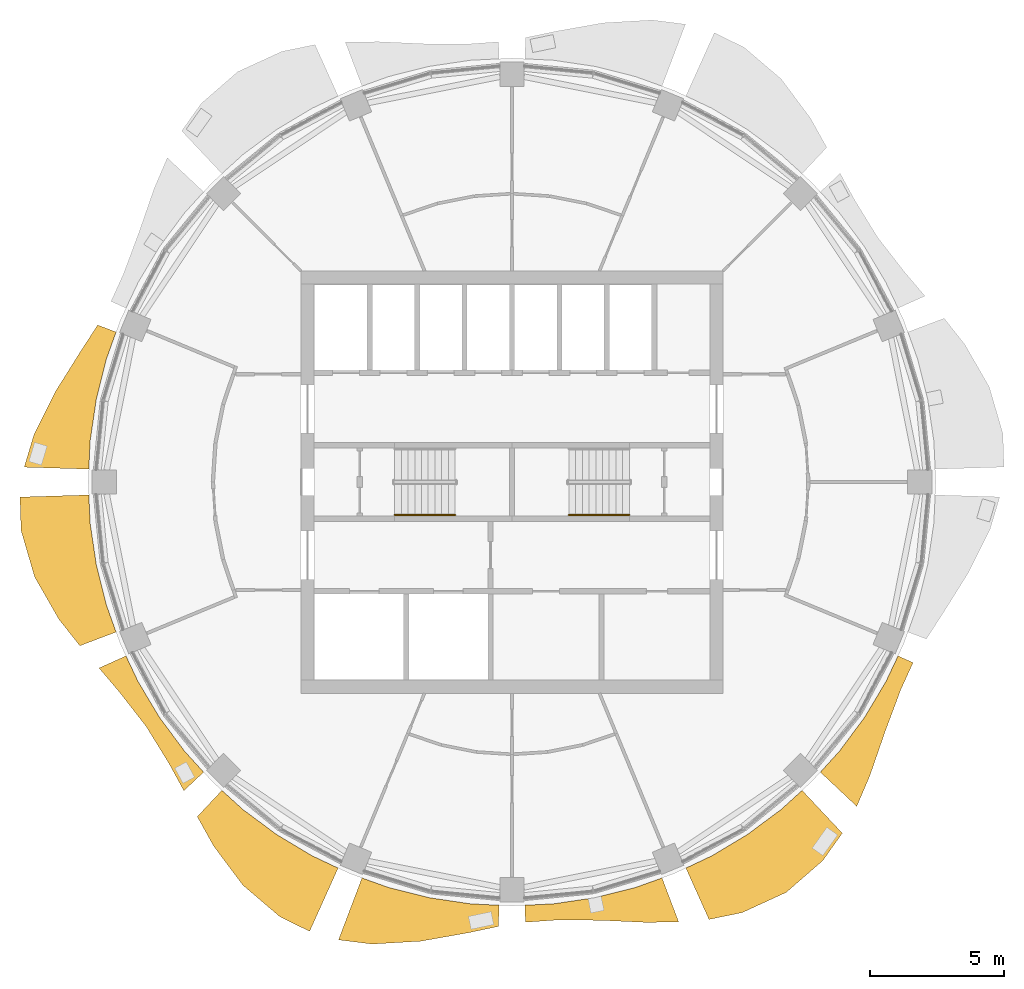
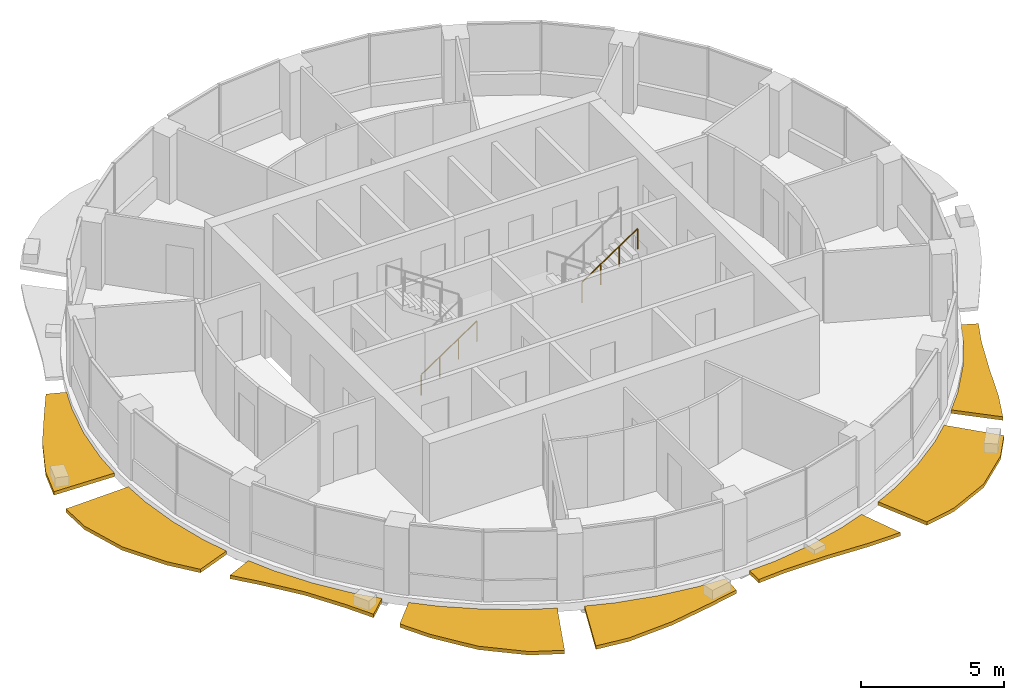
# One storey, part 11 of 14: 8 shading devices, 2 railings.
"""IFC4 building model written with IfcOpenShell, lengths in metres."""

from ifc_helpers import new_model, si_unit, direction, frame, origin, origin_2d, place, context, subcontext, project, spatial, polyline, circle, outline, extrude, material, type_object, element, save


model = new_model("IFC4")

# Units and contexts
model_context = context("Model", 3, precision=1e-05, world=origin(), true_north=direction((0.0, 1.0)))
body_context = subcontext(model_context, "Body", "Model", "MODEL_VIEW")
ifc_project = project(units=[si_unit("LENGTHUNIT", "METRE"), si_unit("AREAUNIT", "SQUARE_METRE"), si_unit("VOLUMEUNIT", "CUBIC_METRE"), si_unit("PLANEANGLEUNIT", "RADIAN"), si_unit("MASSUNIT", "GRAM", prefix="KILO")], contexts=[model_context])

# Site, building, storey
site_placement = place(None, origin())
site = spatial("IfcSite", under=ifc_project, at=site_placement, CompositionType="ELEMENT")
building_placement = place(site_placement, origin())
building = spatial("IfcBuilding", under=site, at=building_placement, Name="Polderwave Tower", CompositionType="ELEMENT")
storey_placement = place(building_placement, frame((0.0, 0.0, 221.14990234375)))
storey = spatial("IfcBuildingStorey", under=building, at=storey_placement, Name="L60", CompositionType="ELEMENT", Elevation=221.14990234375)

# Railings
ifc_material_1 = material(Name="Stainless steel", Category="steel")
railing_type = type_object("IfcRailingType", Name="Stair handrail 900", PredefinedType="HANDRAIL", material=ifc_material_1)
for number, where, name in (
    (1, (-4.3740234375, -1.22509765625, 0.16748046875), "L60 ST-A stair handrail 1"),
    (2, (2.1240234375, -1.22509765625, 1.842529296875), "L60 ST-B stair handrail 2"),
):
    element("IfcRailing", number, at=place(storey_placement, frame(where)), inside=storey, type_object=railing_type, Name=name, PredefinedType="HANDRAIL", context=body_context, shape_type="SweptSolid", body=[
        extrude(circle(Radius=0.02392578125, at=origin_2d()), frame((0.0, 0.0, 0.8759765625), z_axis=(0.830758306289, 0.0, 0.556633305266), x_axis=(0.0, 1.0, 0.0)), (0.0, 0.0, 1.0), 2.708251953125),
        extrude(circle(Radius=0.02099609375, at=origin_2d()), origin(), (0.0, 0.0, 1.0), 0.851806640625),
        extrude(circle(Radius=0.02099609375, at=origin_2d()), frame((0.75, 0.0, 0.50244140625)), (0.0, 0.0, 1.0), 0.851806640625),
        extrude(circle(Radius=0.02099609375, at=origin_2d()), frame((1.5, 0.0, 1.005126953125)), (0.0, 0.0, 1.0), 0.851806640625),
        extrude(circle(Radius=0.02099609375, at=origin_2d()), frame((2.25, 0.0, 1.507568359375)), (0.0, 0.0, 1.0), 0.851806640625),
    ])

# Shading devices
ifc_material_2 = material(Name="Terracotta", Category="masonry")
shading_device_type = type_object("IfcShadingDeviceType", Name="Terracotta sunshade band", PredefinedType="USERDEFINED", material=ifc_material_2)
shading_device_1_placement = place(storey_placement, frame((0.0, 0.0, -0.349853515625)))
element("IfcShadingDevice", 3, at=shading_device_1_placement, inside=storey, type_object=shading_device_type, Name="Sunshade band L60 8", ObjectType="SUNSHADE", PredefinedType="USERDEFINED", context=body_context, shape_type="SweptSolid", body=[
    extrude(outline(polyline([(-14.759521484375, 5.5927734375), (-15.11962890625, 4.58642578125), (-15.496337890625, 3.08251953125), (-15.723876953125, 1.548583984375), (-15.7763671875, 0.481201171875), (-18.18408203125, 0.5546875), (-17.824462890625, 1.755615234375), (-17.013671875, 3.38427734375), (-16.07763671875, 4.877197265625), (-15.445556640625, 5.8525390625), (-14.759521484375, 5.5927734375)])), origin(), (0.0, 0.0, 1.0), 0.14990234375),
])
shading_device_2_placement = place(storey_placement, frame((0.0, 0.0, -0.349853515625)))
element("IfcShadingDevice", 4, at=shading_device_2_placement, inside=storey, type_object=shading_device_type, Name="Sunshade band L60 9", ObjectType="SUNSHADE", PredefinedType="USERDEFINED", context=body_context, shape_type="SweptSolid", body=[
    extrude(outline(polyline([(-15.7763671875, -0.481201171875), (-15.723876953125, -1.548583984375), (-15.496337890625, -3.08251953125), (-15.11962890625, -4.58642578125), (-14.759521484375, -5.5927734375), (-16.10986328125, -6.104248046875), (-16.886962890625, -5.12255859375), (-17.794921875, -3.53955078125), (-18.30126953125, -1.802490234375), (-18.3408203125, -0.5595703125), (-15.7763671875, -0.481201171875)])), origin(), (0.0, 0.0, 1.0), 0.14990234375),
])
shading_device_3_placement = place(storey_placement, frame((0.0, 0.0, -0.349853515625)))
element("IfcShadingDevice", 5, at=shading_device_3_placement, inside=storey, type_object=shading_device_type, Name="Sunshade band L60 10", ObjectType="SUNSHADE", PredefinedType="USERDEFINED", context=body_context, shape_type="SweptSolid", body=[
    extrude(outline(polyline([(-14.391357421875, -6.48193359375), (-13.934326171875, -7.447998046875), (-13.13720703125, -8.778076171875), (-12.213623046875, -10.0234375), (-11.495849609375, -10.815185546875), (-12.23291015625, -11.508544921875), (-12.785888671875, -10.492919921875), (-13.63720703125, -9.112060546875), (-14.63916015625, -7.82470703125), (-15.39501953125, -6.93408203125), (-14.391357421875, -6.48193359375)])), origin(), (0.0, 0.0, 1.0), 0.14990234375),
])
shading_device_4_placement = place(storey_placement, frame((0.0, 0.0, -0.349853515625)))
element("IfcShadingDevice", 6, at=shading_device_4_placement, inside=storey, type_object=shading_device_type, Name="Sunshade band L60 11", ObjectType="SUNSHADE", PredefinedType="USERDEFINED", context=body_context, shape_type="SweptSolid", body=[
    extrude(outline(polyline([(-10.815185546875, -11.495849609375), (-10.0234375, -12.213623046875), (-8.778076171875, -13.13720703125), (-7.447998046875, -13.934326171875), (-6.48193359375, -14.391357421875), (-7.544921875, -16.750732421875), (-8.6591796875, -16.2001953125), (-10.038330078125, -15.0234375), (-11.129150390625, -13.560791015625), (-11.733642578125, -12.47216796875), (-10.815185546875, -11.495849609375)])), origin(), (0.0, 0.0, 1.0), 0.14990234375),
])
shading_device_5_placement = place(storey_placement, frame((0.0, 0.0, -0.349853515625)))
element("IfcShadingDevice", 7, at=shading_device_5_placement, inside=storey, type_object=shading_device_type, Name="Sunshade band L60 12", ObjectType="SUNSHADE", PredefinedType="USERDEFINED", context=body_context, shape_type="SweptSolid", body=[
    extrude(outline(polyline([(-5.5927734375, -14.759521484375), (-4.58642578125, -15.11962890625), (-3.08251953125, -15.496337890625), (-1.548583984375, -15.723876953125), (-0.481201171875, -15.7763671875), (-0.50537109375, -16.567138671875), (-1.655517578125, -16.807861328125), (-3.40478515625, -17.11767578125), (-5.224853515625, -17.223876953125), (-6.466552734375, -17.066162109375), (-5.5927734375, -14.759521484375)])), origin(), (0.0, 0.0, 1.0), 0.14990234375),
])
shading_device_6_placement = place(storey_placement, frame((0.0, 0.0, -0.349853515625)))
element("IfcShadingDevice", 8, at=shading_device_6_placement, inside=storey, type_object=shading_device_type, Name="Sunshade band L60 13", ObjectType="SUNSHADE", PredefinedType="USERDEFINED", context=body_context, shape_type="SweptSolid", body=[
    extrude(outline(polyline([(0.481201171875, -15.7763671875), (1.548583984375, -15.723876953125), (3.08251953125, -15.496337890625), (4.58642578125, -15.11962890625), (5.5927734375, -14.759521484375), (6.21484375, -16.40185546875), (4.979248046875, -16.41455078125), (3.24951171875, -16.33642578125), (1.6083984375, -16.331298828125), (0.500732421875, -16.410400390625), (0.481201171875, -15.7763671875)])), origin(), (0.0, 0.0, 1.0), 0.14990234375),
])
shading_device_7_placement = place(storey_placement, frame((0.0, 0.0, -0.349853515625)))
element("IfcShadingDevice", 9, at=shading_device_7_placement, inside=storey, type_object=shading_device_type, Name="Sunshade band L60 14", ObjectType="SUNSHADE", PredefinedType="USERDEFINED", context=body_context, shape_type="SweptSolid", body=[
    extrude(outline(polyline([(6.48193359375, -14.391357421875), (7.447998046875, -13.934326171875), (8.778076171875, -13.13720703125), (10.0234375, -12.213623046875), (10.815185546875, -11.495849609375), (12.314453125, -13.089599609375), (11.583740234375, -14.114990234375), (10.2216796875, -15.2978515625), (8.579833984375, -16.0517578125), (7.343994140625, -16.305419921875), (6.48193359375, -14.391357421875)])), origin(), (0.0, 0.0, 1.0), 0.14990234375),
])
shading_device_8_placement = place(storey_placement, frame((0.0, 0.0, -0.349853515625)))
element("IfcShadingDevice", 10, at=shading_device_8_placement, inside=storey, type_object=shading_device_type, Name="Sunshade band L60 15", ObjectType="SUNSHADE", PredefinedType="USERDEFINED", context=body_context, shape_type="SweptSolid", body=[
    extrude(outline(polyline([(11.495849609375, -10.815185546875), (12.213623046875, -10.0234375), (13.13720703125, -8.778076171875), (13.934326171875, -7.447998046875), (14.391357421875, -6.48193359375), (14.949462890625, -6.7333984375), (14.49072265625, -7.74560546875), (13.91162109375, -9.29541015625), (13.33984375, -10.94775390625), (12.850341796875, -12.089599609375), (11.495849609375, -10.815185546875)])), origin(), (0.0, 0.0, 1.0), 0.14990234375),
])

save(model, "model.ifc")
